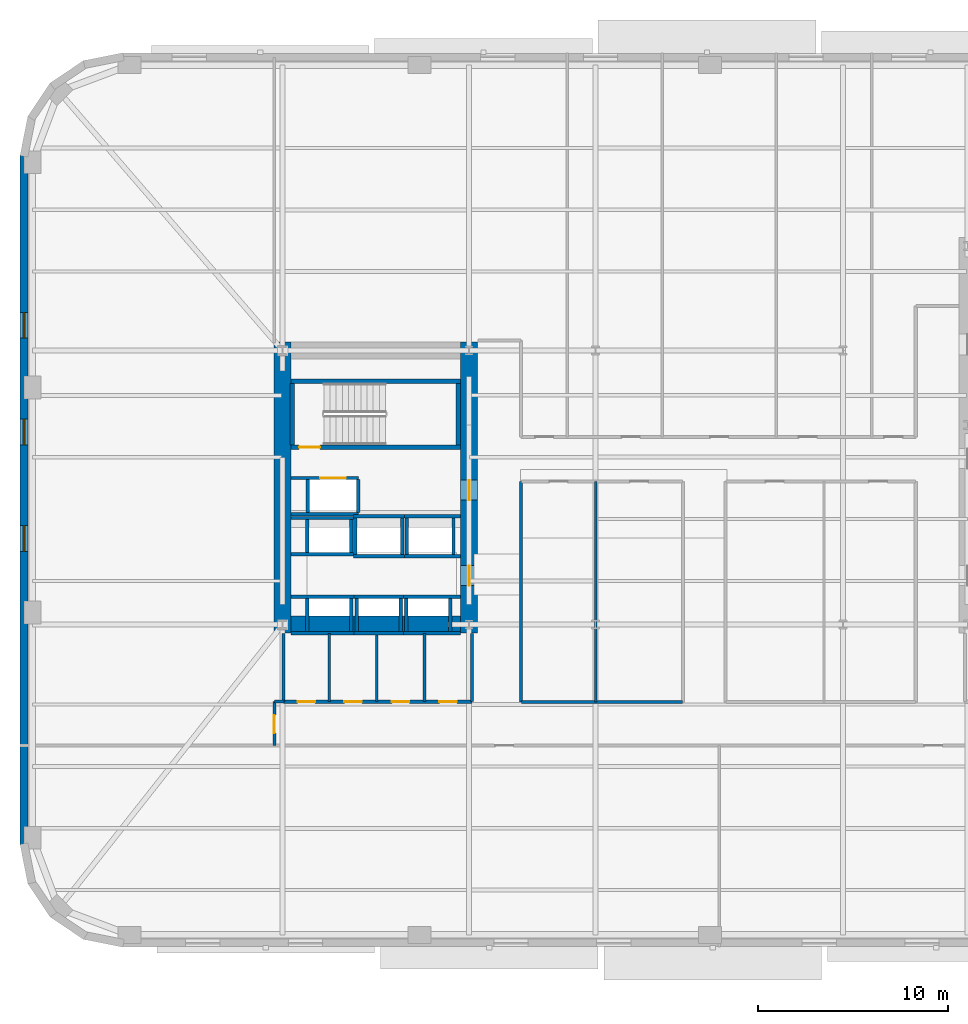
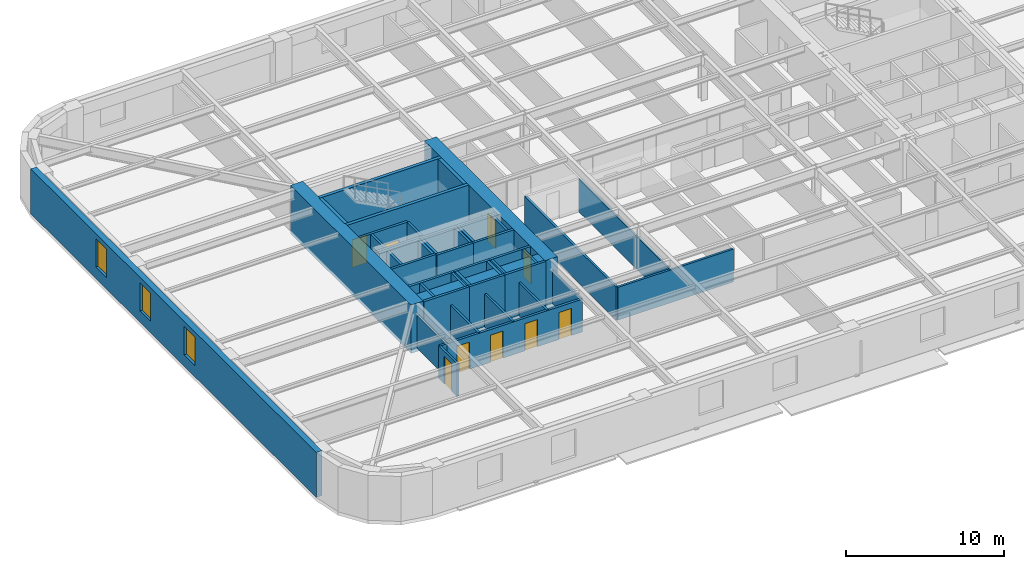
# One storey, part 4 of 14: 47 walls, 9 doors, 3 windows, 12 openings.
"""IFC4 building model written with IfcOpenShell, lengths in metres."""

from ifc_helpers import new_model, si_unit, direction, frame, frame_2d, origin, place, context, subcontext, project, spatial, rectangle, extrude, material, layer, layer_set, type_object, element, fill, save


model = new_model("IFC4")

# Units and contexts
model_context = context("Model", 3, precision=1e-05, world=origin(), true_north=direction((0.0, 1.0)))
body_context = subcontext(model_context, "Body", "Model", "MODEL_VIEW")
ifc_project = project(units=[si_unit("LENGTHUNIT", "METRE"), si_unit("AREAUNIT", "SQUARE_METRE"), si_unit("VOLUMEUNIT", "CUBIC_METRE"), si_unit("PLANEANGLEUNIT", "RADIAN"), si_unit("MASSUNIT", "GRAM", prefix="KILO")], contexts=[model_context])

# Site, building, storey
site_placement = place(None, origin())
site = spatial("IfcSite", under=ifc_project, at=site_placement, CompositionType="ELEMENT")
building_placement = place(site_placement, origin())
building = spatial("IfcBuilding", under=site, at=building_placement, Name="Kolvaren Arena Tower", CompositionType="ELEMENT")
storey_placement = place(building_placement, frame((0.0, 0.0, 87.0)))
storey = spatial("IfcBuildingStorey", under=building, at=storey_placement, Name="L19", CompositionType="ELEMENT", Elevation=87.0)

# Walls
ifc_material_1 = material(Name="Gypsum board acoustic assembly", Category="gypsum")
ifc_layer_1 = layer(ifc_material_1, 0.159912109375)
ifc_layer_set_1 = layer_set([ifc_layer_1], Name="Gypsum board acoustic assembly")
wall_type_1 = type_object("IfcWallType", Name="CORR-160", PredefinedType="PARTITIONING", material=ifc_layer_set_1)
wall_1_placement = place(storey_placement, frame((27.10009765625, 15.3798828125, 0.0), z_axis=(0.0, 0.0, 1.0), x_axis=(1.0, 0.0, 0.0)))
element("IfcWall", 1, at=wall_1_placement, inside=storey, type_object=wall_type_1, Name="Interior Partition Wall (L19)", PredefinedType="PARTITIONING", context=body_context, shape_type="SweptSolid", body=[
    extrude(rectangle(XDim=8.4599609375, YDim=0.159912109375, at=frame_2d((4.22998046875, 0.0))), origin(), (0.0, 0.0, 1.0), 2.5400390625),
])
wall_2_placement = place(storey_placement, frame((27.080078125, 15.3798828125, 0.0), z_axis=(0.0, 0.0, 1.0), x_axis=(0.0, 1.0, 0.0)))
element("IfcWall", 2, at=wall_2_placement, inside=storey, type_object=wall_type_1, Name="Interior Partition Wall (L19)", PredefinedType="PARTITIONING", context=body_context, shape_type="SweptSolid", body=[
    extrude(rectangle(XDim=11.60009765625, YDim=0.159912109375, at=frame_2d((5.800048828125, 0.0))), origin(), (0.0, 0.0, 1.0), 2.5400390625),
])

# Wall, opening, door
wall_3_placement = place(storey_placement, frame((14.1201171875, 13.10009765625, 0.0), z_axis=(0.0, 0.0, 1.0), x_axis=(0.0, 1.0, 0.0)))
wall_3 = element("IfcWall", 3, at=wall_3_placement, inside=storey, type_object=wall_type_1, Name="Interior Partition Wall (L19)", PredefinedType="PARTITIONING", context=body_context, shape_type="SweptSolid", body=[
    extrude(rectangle(XDim=2.2998046875, YDim=0.159912109375, at=frame_2d((1.14990234375, 0.0))), origin(), (0.0, 0.0, 1.0), 2.5400390625),
])
opening_1_placement = place(wall_3_placement, frame((0.64990234375, 0.0, 0.0)))
opening_1 = element("IfcOpeningElement", 4, at=opening_1_placement, cuts=wall_3, Name="Opening D05", PredefinedType="OPENING", context=body_context, shape_type="SweptSolid", body=[
    extrude(rectangle(XDim=0.949951171875, YDim=2.14990234375, at=frame_2d((0.47509765625, 1.074951171875))), frame((0.0, 0.08984375, 0.0), z_axis=(0.0, -1.0, 0.0), x_axis=(1.0, 0.0, 0.0)), (0.0, 0.0, 1.0), 0.179931640625),
])
ifc_material_2 = material(Name="Solid-core oak acoustic office door", Category="wood")
door_type_1 = type_object("IfcDoorType", Name="DOOR-OF-095", OperationType="NOTDEFINED", PredefinedType="DOOR", material=ifc_material_2)
door_1_placement = place(opening_1_placement, origin())
door_1 = element("IfcDoor", 5, at=door_1_placement, inside=storey, type_object=door_type_1, Name="West Wing Office Door (L19)", OperationType="SINGLE_SWING_LEFT", OverallHeight=2.14990234375, OverallWidth=0.949951171875, PredefinedType="DOOR", context=body_context, shape_type="SweptSolid", body=[
    extrude(rectangle(XDim=0.949951171875, YDim=2.14990234375, at=frame_2d((0.47509765625, 1.074951171875))), frame((0.0, 0.02490234375, 0.0), z_axis=(0.0, -1.0, 0.0), x_axis=(1.0, 0.0, 0.0)), (0.0, 0.0, 1.0), 0.050048828125),
])
fill(opening_1, door_1)

# Walls
wall_4_placement = place(storey_placement, frame((14.1201171875, 15.39990234375, 0.0), z_axis=(0.0, 0.0, 1.0), x_axis=(1.0, 0.0, 0.0)))
element("IfcWall", 6, at=wall_4_placement, inside=storey, type_object=wall_type_1, Name="Interior Partition Wall (L19)", PredefinedType="PARTITIONING", context=body_context, shape_type="SweptSolid", body=[
    extrude(rectangle(XDim=0.5, YDim=0.159912109375, at=frame_2d((0.25, 0.0))), origin(), (0.0, 0.0, 1.0), 2.5400390625),
])
ifc_material_3 = material(Name="Concrete 80 MPa", Category="concrete")
ifc_layer_2 = layer(ifc_material_3, 0.89990234375)
ifc_layer_set_2 = layer_set([ifc_layer_2], Name="Concrete 80 MPa")
wall_type_2 = type_object("IfcWallType", Name="CWALL-900", PredefinedType="SHEAR", material=ifc_layer_set_2)
wall_5_placement = place(storey_placement, frame((14.550048828125, 19.0, -0.27001953125), z_axis=(0.0, 0.0, 1.0), x_axis=(0.0, 1.0, 0.0)))
element("IfcWall", 7, at=wall_5_placement, inside=storey, type_object=wall_type_2, Name="Core Shear Wall WC-WEST (L19)", PredefinedType="SHEAR", context=body_context, shape_type="SweptSolid", body=[
    extrude(rectangle(XDim=15.300048828125, YDim=0.89990234375, at=frame_2d((7.64990234375, 0.0))), origin(), (0.0, 0.0, 1.0), 3.75),
])

# Wall, openings, doors
wall_6_placement = place(storey_placement, frame((24.35009765625, 19.0, -0.27001953125), z_axis=(0.0, 0.0, 1.0), x_axis=(0.0, 1.0, 0.0)))
wall_6 = element("IfcWall", 8, at=wall_6_placement, inside=storey, type_object=wall_type_2, Name="Core Shear Wall WC-EAST (L19)", PredefinedType="SHEAR", context=body_context, shape_type="SweptSolid", body=[
    extrude(rectangle(XDim=15.300048828125, YDim=0.89990234375, at=frame_2d((7.64990234375, 0.0))), origin(), (0.0, 0.0, 1.0), 3.75),
])
opening_2_placement = place(wall_6_placement, frame((2.5, 0.0, 0.27001953125)))
opening_2 = element("IfcOpeningElement", 9, at=opening_2_placement, cuts=wall_6, Name="Opening D04", PredefinedType="OPENING", context=body_context, shape_type="SweptSolid", body=[
    extrude(rectangle(XDim=1.050048828125, YDim=2.14990234375, at=frame_2d((0.52490234375, 1.074951171875))), frame((0.0, 0.4599609375, 0.0), z_axis=(0.0, -1.0, 0.0), x_axis=(1.0, 0.0, 0.0)), (0.0, 0.0, 1.0), 0.919921875),
])
opening_3_placement = place(wall_6_placement, frame((7.0, 0.0, 0.27001953125)))
opening_3 = element("IfcOpeningElement", 10, at=opening_3_placement, cuts=wall_6, Name="Opening D04", PredefinedType="OPENING", context=body_context, shape_type="SweptSolid", body=[
    extrude(rectangle(XDim=1.050048828125, YDim=2.14990234375, at=frame_2d((0.52490234375, 1.074951171875))), frame((0.0, 0.4599609375, 0.0), z_axis=(0.0, -1.0, 0.0), x_axis=(1.0, 0.0, 0.0)), (0.0, 0.0, 1.0), 0.919921875),
])
ifc_material_4 = material(Name="Fire-rated steel lobby door", Category="steel")
door_type_2 = type_object("IfcDoorType", Name="DOOR-FF-105", OperationType="NOTDEFINED", PredefinedType="DOOR", material=ifc_material_4)
door_2_placement = place(opening_2_placement, origin())
door_2 = element("IfcDoor", 11, at=door_2_placement, inside=storey, type_object=door_type_2, Name="West Lift Lobby Fire Door (L19)", OperationType="SINGLE_SWING_LEFT", OverallHeight=2.14990234375, OverallWidth=1.050048828125, PredefinedType="DOOR", context=body_context, shape_type="SweptSolid", body=[
    extrude(rectangle(XDim=1.050048828125, YDim=2.14990234375, at=frame_2d((0.52490234375, 1.074951171875))), frame((0.0, 0.02490234375, 0.0), z_axis=(0.0, -1.0, 0.0), x_axis=(1.0, 0.0, 0.0)), (0.0, 0.0, 1.0), 0.050048828125),
])
fill(opening_2, door_2)
door_3_placement = place(opening_3_placement, origin())
door_3 = element("IfcDoor", 12, at=door_3_placement, inside=storey, type_object=door_type_2, Name="West Firefighter Vestibule Door (L19)", OperationType="SINGLE_SWING_RIGHT", OverallHeight=2.14990234375, OverallWidth=1.050048828125, PredefinedType="DOOR", context=body_context, shape_type="SweptSolid", body=[
    extrude(rectangle(XDim=1.050048828125, YDim=2.14990234375, at=frame_2d((0.52490234375, 1.074951171875))), frame((0.0, 0.02490234375, 0.0), z_axis=(0.0, -1.0, 0.0), x_axis=(1.0, 0.0, 0.0)), (0.0, 0.0, 1.0), 0.050048828125),
])
fill(opening_3, door_3)

# Wall
wall_7_placement = place(storey_placement, frame((15.0, 19.449951171875, -0.27001953125), z_axis=(0.0, 0.0, 1.0), x_axis=(1.0, 0.0, 0.0)))
element("IfcWall", 13, at=wall_7_placement, inside=storey, type_object=wall_type_2, Name="Core Shear Wall WC-SOUTH (L19)", PredefinedType="SHEAR", context=body_context, shape_type="SweptSolid", body=[
    extrude(rectangle(XDim=8.89990234375, YDim=0.89990234375, at=frame_2d((4.449951171875, 0.0))), origin(), (0.0, 0.0, 1.0), 3.75),
])

# Wall, openings, windows
ifc_material_5 = material(Name="Precast concrete C50/60", Category="concrete")
ifc_layer_3 = layer(ifc_material_5, 0.419921875)
ifc_layer_set_3 = layer_set([ifc_layer_3], Name="Precast concrete C50/60")
wall_type_3 = type_object("IfcWallType", Name="EXT-PIER1", PredefinedType="SOLIDWALL", material=ifc_layer_set_3)
wall_8_placement = place(storey_placement, frame((0.9599609375, 7.89990234375, 0.0), z_axis=(0.0, 0.0, 1.0), x_axis=(0.0, 1.0, 0.0)))
wall_8 = element("IfcWall", 14, at=wall_8_placement, inside=storey, type_object=wall_type_3, Name="Exterior Precast Masonry-Frame Wall (L19)", PredefinedType="SOLIDWALL", context=body_context, shape_type="SweptSolid", body=[
    extrude(rectangle(XDim=36.2001953125, YDim=0.419921875, at=frame_2d((18.10009765625, 0.0))), origin(), (0.0, 0.0, 1.0), 3.47998046875),
])
opening_4_placement = place(wall_8_placement, frame((15.39990234375, 0.0, 0.8798828125)))
opening_4 = element("IfcOpeningElement", 15, at=opening_4_placement, cuts=wall_8, Name="Opening W04", PredefinedType="OPENING", context=body_context, shape_type="SweptSolid", body=[
    extrude(rectangle(XDim=1.35009765625, YDim=2.199951171875, at=frame_2d((0.675048828125, 1.10009765625))), frame((0.0, 0.219970703125, 0.0), z_axis=(0.0, -1.0, 0.0), x_axis=(1.0, 0.0, 0.0)), (0.0, 0.0, 1.0), 0.43994140625),
])
opening_5_placement = place(wall_8_placement, frame((21.0, 0.0, 0.8798828125)))
opening_5 = element("IfcOpeningElement", 16, at=opening_5_placement, cuts=wall_8, Name="Opening W04", PredefinedType="OPENING", context=body_context, shape_type="SweptSolid", body=[
    extrude(rectangle(XDim=1.35009765625, YDim=2.199951171875, at=frame_2d((0.675048828125, 1.10009765625))), frame((0.0, 0.219970703125, 0.0), z_axis=(0.0, -1.0, 0.0), x_axis=(1.0, 0.0, 0.0)), (0.0, 0.0, 1.0), 0.43994140625),
])
opening_6_placement = place(wall_8_placement, frame((26.60009765625, 0.0, 0.8798828125)))
opening_6 = element("IfcOpeningElement", 17, at=opening_6_placement, cuts=wall_8, Name="Opening W04", PredefinedType="OPENING", context=body_context, shape_type="SweptSolid", body=[
    extrude(rectangle(XDim=1.35009765625, YDim=2.199951171875, at=frame_2d((0.675048828125, 1.10009765625))), frame((0.0, 0.219970703125, 0.0), z_axis=(0.0, -1.0, 0.0), x_axis=(1.0, 0.0, 0.0)), (0.0, 0.0, 1.0), 0.43994140625),
])
ifc_material_6 = material(Name="Triple-glazed curved-facet corner window", Category="glass")
window_type = type_object("IfcWindowType", Name="WIN-CRN-A", PartitioningType="SINGLE_PANEL", PredefinedType="WINDOW", material=ifc_material_6)
window_1_placement = place(opening_4_placement, origin())
window_1 = element("IfcWindow", 18, at=window_1_placement, inside=storey, type_object=window_type, Name="End-Wall Punched Window (L19)", OverallHeight=2.199951171875, OverallWidth=1.35009765625, PartitioningType="SINGLE_PANEL", PredefinedType="WINDOW", context=body_context, shape_type="SweptSolid", body=[
    extrude(rectangle(XDim=1.35009765625, YDim=2.199951171875, at=frame_2d((0.675048828125, 1.10009765625))), frame((0.0, 0.030029296875, 0.0), z_axis=(0.0, -1.0, 0.0), x_axis=(1.0, 0.0, 0.0)), (0.0, 0.0, 1.0), 0.06005859375),
])
fill(opening_4, window_1)
window_2_placement = place(opening_5_placement, origin())
window_2 = element("IfcWindow", 19, at=window_2_placement, inside=storey, type_object=window_type, Name="End-Wall Punched Window (L19)", OverallHeight=2.199951171875, OverallWidth=1.35009765625, PartitioningType="SINGLE_PANEL", PredefinedType="WINDOW", context=body_context, shape_type="SweptSolid", body=[
    extrude(rectangle(XDim=1.35009765625, YDim=2.199951171875, at=frame_2d((0.675048828125, 1.10009765625))), frame((0.0, 0.030029296875, 0.0), z_axis=(0.0, -1.0, 0.0), x_axis=(1.0, 0.0, 0.0)), (0.0, 0.0, 1.0), 0.06005859375),
])
fill(opening_5, window_2)
window_3_placement = place(opening_6_placement, origin())
window_3 = element("IfcWindow", 20, at=window_3_placement, inside=storey, type_object=window_type, Name="End-Wall Punched Window (L19)", OverallHeight=2.199951171875, OverallWidth=1.35009765625, PartitioningType="SINGLE_PANEL", PredefinedType="WINDOW", context=body_context, shape_type="SweptSolid", body=[
    extrude(rectangle(XDim=1.35009765625, YDim=2.199951171875, at=frame_2d((0.675048828125, 1.10009765625))), frame((0.0, 0.030029296875, 0.0), z_axis=(0.0, -1.0, 0.0), x_axis=(1.0, 0.0, 0.0)), (0.0, 0.0, 1.0), 0.06005859375),
])
fill(opening_6, window_3)

# Wall
ifc_material_7 = material(Name="Gypsum board partition assembly", Category="gypsum")
ifc_layer_4 = layer(ifc_material_7, 0.114990234375)
ifc_layer_set_4 = layer_set([ifc_layer_4], Name="Gypsum board partition assembly")
wall_type_4 = type_object("IfcWallType", Name="PART-115", PredefinedType="PARTITIONING", material=ifc_layer_set_4)
wall_9_placement = place(storey_placement, frame((31.0, 15.3798828125, 0.0), z_axis=(0.0, 0.0, 1.0), x_axis=(0.0, 1.0, 0.0)))
element("IfcWall", 21, at=wall_9_placement, inside=storey, type_object=wall_type_4, Name="Interior Partition Wall (L19)", PredefinedType="PARTITIONING", context=body_context, shape_type="SweptSolid", body=[
    extrude(rectangle(XDim=11.60009765625, YDim=0.114990234375, at=frame_2d((5.800048828125, 0.0))), origin(), (0.0, 0.0, 1.0), 2.5400390625),
])

# Wall, opening, door
ifc_material_8 = material(Name="Concrete 45 MPa", Category="concrete")
ifc_layer_5 = layer(ifc_material_8, 0.25)
ifc_layer_set_5 = layer_set([ifc_layer_5], Name="Concrete 45 MPa")
wall_type_5 = type_object("IfcWallType", Name="SHAFT-250", PredefinedType="SOLIDWALL", material=ifc_layer_set_5)
wall_10_placement = place(storey_placement, frame((23.89990234375, 28.780029296875, 0.0), z_axis=(0.0, 0.0, 1.0), x_axis=(-1.0, 0.0, 0.0)))
wall_10 = element("IfcWall", 22, at=wall_10_placement, inside=storey, type_object=wall_type_5, Name="Core Shaft Wall (L19)", PredefinedType="SOLIDWALL", context=body_context, shape_type="SweptSolid", body=[
    extrude(rectangle(XDim=8.89990234375, YDim=0.239990234375, at=frame_2d((4.449951171875, 0.0))), origin(), (0.0, 0.0, 1.0), 3.47998046875),
])
opening_7_placement = place(wall_10_placement, frame((7.3798828125, 0.0, 0.0)))
opening_7 = element("IfcOpeningElement", 23, at=opening_7_placement, cuts=wall_10, Name="Opening D03", PredefinedType="OPENING", context=body_context, shape_type="SweptSolid", body=[
    extrude(rectangle(XDim=1.10009765625, YDim=2.14990234375, at=frame_2d((0.550048828125, 1.074951171875))), frame((0.0, 0.1298828125, 0.0), z_axis=(0.0, -1.0, 0.0), x_axis=(1.0, 0.0, 0.0)), (0.0, 0.0, 1.0), 0.260009765625),
])
ifc_material_9 = material(Name="Fire-rated steel exit stair door", Category="steel")
door_type_3 = type_object("IfcDoorType", Name="DOOR-ST-110", OperationType="NOTDEFINED", PredefinedType="DOOR", material=ifc_material_9)
door_4_placement = place(opening_7_placement, origin())
door_4 = element("IfcDoor", 24, at=door_4_placement, inside=storey, type_object=door_type_3, Name="Stair ST-W1 Fire Door (L19)", OperationType="SINGLE_SWING_RIGHT", OverallHeight=2.14990234375, OverallWidth=1.10009765625, PredefinedType="DOOR", context=body_context, shape_type="SweptSolid", body=[
    extrude(rectangle(XDim=1.10009765625, YDim=2.14990234375, at=frame_2d((0.550048828125, 1.074951171875))), frame((0.0, 0.02490234375, 0.0), z_axis=(0.0, -1.0, 0.0), x_axis=(1.0, 0.0, 0.0)), (0.0, 0.0, 1.0), 0.050048828125),
])
fill(opening_7, door_4)

# Walls
wall_11_placement = place(storey_placement, frame((15.0, 32.25, 0.0), z_axis=(0.0, 0.0, 1.0), x_axis=(1.0, 0.0, 0.0)))
element("IfcWall", 25, at=wall_11_placement, inside=storey, type_object=wall_type_5, Name="Core Shaft Wall (L19)", PredefinedType="SOLIDWALL", context=body_context, shape_type="SweptSolid", body=[
    extrude(rectangle(XDim=8.89990234375, YDim=0.239990234375, at=frame_2d((4.449951171875, 0.0))), origin(), (0.0, 0.0, 1.0), 3.47998046875),
])
for number, where, z_axis, x_axis, name in (
    (26, (15.06005859375, 28.89990234375, 0.0), (0.0, 0.0, 1.0), (0.0, 1.0, 0.0), "Core Shaft Wall (L19)"),
    (27, (23.780029296875, 28.89990234375, 0.0), (0.0, 0.0, 1.0), (0.0, 1.0, 0.0), "Core Shaft Wall (L19)"),
):
    element("IfcWall", number, at=place(storey_placement, frame(where, z_axis=z_axis, x_axis=x_axis)), inside=storey, type_object=wall_type_5, Name=name, PredefinedType="SOLIDWALL", context=body_context, shape_type="SweptSolid", body=[
        extrude(rectangle(XDim=3.22998046875, YDim=0.239990234375, at=frame_2d((1.614990234375, 0.0))), origin(), (0.0, 0.0, 1.0), 3.47998046875),
    ])
for number, where, z_axis, x_axis, name in (
    (28, (15.0, 20.905029296875, 0.0), (0.0, 0.0, 1.0), (1.0, 0.0, 0.0), "Core Shaft Wall (L19)"),
    (29, (15.0, 18.9951171875, 0.0), (0.0, 0.0, 1.0), (1.0, 0.0, 0.0), "Core Shaft Wall (L19)"),
):
    element("IfcWall", number, at=place(storey_placement, frame(where, z_axis=z_axis, x_axis=x_axis)), inside=storey, type_object=wall_type_5, Name=name, PredefinedType="SOLIDWALL", context=body_context, shape_type="SweptSolid", body=[
        extrude(rectangle(XDim=3.300048828125, YDim=0.179931640625, at=frame_2d((1.64990234375, 0.0))), origin(), (0.0, 0.0, 1.0), 3.47998046875),
    ])
for number, where, z_axis, x_axis, name in (
    (30, (15.844970703125, 19.0849609375, 0.0), (0.0, 0.0, 1.0), (0.0, 1.0, 0.0), "Core Shaft Wall (L19)"),
    (31, (18.155029296875, 19.0849609375, 0.0), (0.0, 0.0, 1.0), (0.0, 1.0, 0.0), "Core Shaft Wall (L19)"),
):
    element("IfcWall", number, at=place(storey_placement, frame(where, z_axis=z_axis, x_axis=x_axis)), inside=storey, type_object=wall_type_5, Name=name, PredefinedType="SOLIDWALL", context=body_context, shape_type="SweptSolid", body=[
        extrude(rectangle(XDim=1.72998046875, YDim=0.179931640625, at=frame_2d((0.864990234375, 0.0))), origin(), (0.0, 0.0, 1.0), 3.47998046875),
    ])
for number, where, z_axis, x_axis, name in (
    (32, (18.300048828125, 20.905029296875, 0.0), (0.0, 0.0, 1.0), (1.0, 0.0, 0.0), "Core Shaft Wall (L19)"),
    (33, (18.300048828125, 18.9951171875, 0.0), (0.0, 0.0, 1.0), (1.0, 0.0, 0.0), "Core Shaft Wall (L19)"),
):
    element("IfcWall", number, at=place(storey_placement, frame(where, z_axis=z_axis, x_axis=x_axis)), inside=storey, type_object=wall_type_5, Name=name, PredefinedType="SOLIDWALL", context=body_context, shape_type="SweptSolid", body=[
        extrude(rectangle(XDim=2.599853515625, YDim=0.179931640625, at=frame_2d((1.2998046875, 0.0))), origin(), (0.0, 0.0, 1.0), 3.47998046875),
    ])
for number, where, z_axis, x_axis, name in (
    (34, (18.445068359375, 19.0849609375, 0.0), (0.0, 0.0, 1.0), (0.0, 1.0, 0.0), "Core Shaft Wall (L19)"),
    (35, (20.7548828125, 19.0849609375, 0.0), (0.0, 0.0, 1.0), (0.0, 1.0, 0.0), "Core Shaft Wall (L19)"),
):
    element("IfcWall", number, at=place(storey_placement, frame(where, z_axis=z_axis, x_axis=x_axis)), inside=storey, type_object=wall_type_5, Name=name, PredefinedType="SOLIDWALL", context=body_context, shape_type="SweptSolid", body=[
        extrude(rectangle(XDim=1.72998046875, YDim=0.179931640625, at=frame_2d((0.864990234375, 0.0))), origin(), (0.0, 0.0, 1.0), 3.47998046875),
    ])
for number, where, z_axis, x_axis, name in (
    (36, (20.89990234375, 20.905029296875, 0.0), (0.0, 0.0, 1.0), (1.0, 0.0, 0.0), "Core Shaft Wall (L19)"),
    (37, (20.89990234375, 18.9951171875, 0.0), (0.0, 0.0, 1.0), (1.0, 0.0, 0.0), "Core Shaft Wall (L19)"),
):
    element("IfcWall", number, at=place(storey_placement, frame(where, z_axis=z_axis, x_axis=x_axis)), inside=storey, type_object=wall_type_5, Name=name, PredefinedType="SOLIDWALL", context=body_context, shape_type="SweptSolid", body=[
        extrude(rectangle(XDim=3.0, YDim=0.179931640625, at=frame_2d((1.5, 0.0))), origin(), (0.0, 0.0, 1.0), 3.47998046875),
    ])
for number, where, z_axis, x_axis, name in (
    (38, (21.044921875, 19.0849609375, 0.0), (0.0, 0.0, 1.0), (0.0, 1.0, 0.0), "Core Shaft Wall (L19)"),
    (39, (23.35498046875, 19.0849609375, 0.0), (0.0, 0.0, 1.0), (0.0, 1.0, 0.0), "Core Shaft Wall (L19)"),
):
    element("IfcWall", number, at=place(storey_placement, frame(where, z_axis=z_axis, x_axis=x_axis)), inside=storey, type_object=wall_type_5, Name=name, PredefinedType="SOLIDWALL", context=body_context, shape_type="SweptSolid", body=[
        extrude(rectangle(XDim=1.72998046875, YDim=0.179931640625, at=frame_2d((0.864990234375, 0.0))), origin(), (0.0, 0.0, 1.0), 3.47998046875),
    ])
for number, where, z_axis, x_axis, name in (
    (40, (15.0, 25.054931640625, 0.0), (0.0, 0.0, 1.0), (1.0, 0.0, 0.0), "Core Shaft Wall (L19)"),
    (41, (15.0, 23.14501953125, 0.0), (0.0, 0.0, 1.0), (1.0, 0.0, 0.0), "Core Shaft Wall (L19)"),
):
    element("IfcWall", number, at=place(storey_placement, frame(where, z_axis=z_axis, x_axis=x_axis)), inside=storey, type_object=wall_type_5, Name=name, PredefinedType="SOLIDWALL", context=body_context, shape_type="SweptSolid", body=[
        extrude(rectangle(XDim=3.262451171875, YDim=0.179931640625, at=frame_2d((1.63134765625, 0.0))), origin(), (0.0, 0.0, 1.0), 3.47998046875),
    ])
for number, where, z_axis, x_axis, name in (
    (42, (15.844970703125, 23.235107421875, 0.0), (0.0, 0.0, 1.0), (0.0, 1.0, 0.0), "Core Shaft Wall (L19)"),
    (43, (18.155029296875, 23.235107421875, 0.0), (0.0, 0.0, 1.0), (0.0, 1.0, 0.0), "Core Shaft Wall (L19)"),
):
    element("IfcWall", number, at=place(storey_placement, frame(where, z_axis=z_axis, x_axis=x_axis)), inside=storey, type_object=wall_type_5, Name=name, PredefinedType="SOLIDWALL", context=body_context, shape_type="SweptSolid", body=[
        extrude(rectangle(XDim=1.72998046875, YDim=0.179931640625, at=frame_2d((0.864990234375, 0.0))), origin(), (0.0, 0.0, 1.0), 3.47998046875),
    ])
for number, where, z_axis, x_axis, name in (
    (44, (18.262451171875, 25.155029296875, 0.0), (0.0, 0.0, 1.0), (1.0, 0.0, 0.0), "Core Shaft Wall (L19)"),
    (45, (18.262451171875, 23.044921875, 0.0), (0.0, 0.0, 1.0), (1.0, 0.0, 0.0), "Core Shaft Wall (L19)"),
):
    element("IfcWall", number, at=place(storey_placement, frame(where, z_axis=z_axis, x_axis=x_axis)), inside=storey, type_object=wall_type_5, Name=name, PredefinedType="SOLIDWALL", context=body_context, shape_type="SweptSolid", body=[
        extrude(rectangle(XDim=2.6875, YDim=0.179931640625, at=frame_2d((1.34375, 0.0))), origin(), (0.0, 0.0, 1.0), 3.47998046875),
    ])
for number, where, z_axis, x_axis, name in (
    (46, (18.3701171875, 23.135009765625, 0.0), (0.0, 0.0, 1.0), (0.0, 1.0, 0.0), "Core Shaft Wall (L19)"),
    (47, (20.830078125, 23.135009765625, 0.0), (0.0, 0.0, 1.0), (0.0, 1.0, 0.0), "Core Shaft Wall (L19)"),
):
    element("IfcWall", number, at=place(storey_placement, frame(where, z_axis=z_axis, x_axis=x_axis)), inside=storey, type_object=wall_type_5, Name=name, PredefinedType="SOLIDWALL", context=body_context, shape_type="SweptSolid", body=[
        extrude(rectangle(XDim=1.929931640625, YDim=0.179931640625, at=frame_2d((0.96484375, 0.0))), origin(), (0.0, 0.0, 1.0), 3.47998046875),
    ])
for number, where, z_axis, x_axis, name in (
    (48, (20.949951171875, 25.155029296875, 0.0), (0.0, 0.0, 1.0), (1.0, 0.0, 0.0), "Core Shaft Wall (L19)"),
    (49, (20.949951171875, 23.044921875, 0.0), (0.0, 0.0, 1.0), (1.0, 0.0, 0.0), "Core Shaft Wall (L19)"),
):
    element("IfcWall", number, at=place(storey_placement, frame(where, z_axis=z_axis, x_axis=x_axis)), inside=storey, type_object=wall_type_5, Name=name, PredefinedType="SOLIDWALL", context=body_context, shape_type="SweptSolid", body=[
        extrude(rectangle(XDim=2.949951171875, YDim=0.179931640625, at=frame_2d((1.47509765625, 0.0))), origin(), (0.0, 0.0, 1.0), 3.47998046875),
    ])
for number, where, z_axis, x_axis, name in (
    (50, (21.070068359375, 23.135009765625, 0.0), (0.0, 0.0, 1.0), (0.0, 1.0, 0.0), "Core Shaft Wall (L19)"),
    (51, (23.530029296875, 23.135009765625, 0.0), (0.0, 0.0, 1.0), (0.0, 1.0, 0.0), "Core Shaft Wall (L19)"),
):
    element("IfcWall", number, at=place(storey_placement, frame(where, z_axis=z_axis, x_axis=x_axis)), inside=storey, type_object=wall_type_5, Name=name, PredefinedType="SOLIDWALL", context=body_context, shape_type="SweptSolid", body=[
        extrude(rectangle(XDim=1.929931640625, YDim=0.179931640625, at=frame_2d((0.96484375, 0.0))), origin(), (0.0, 0.0, 1.0), 3.47998046875),
    ])

# Wall, opening, door
wall_12_placement = place(storey_placement, frame((15.0, 27.155029296875, 0.0), z_axis=(0.0, 0.0, 1.0), x_axis=(1.0, 0.0, 0.0)))
wall_12 = element("IfcWall", 52, at=wall_12_placement, inside=storey, type_object=wall_type_5, Name="Core Shaft Wall (L19)", PredefinedType="SOLIDWALL", context=body_context, shape_type="SweptSolid", body=[
    extrude(rectangle(XDim=3.530029296875, YDim=0.179931640625, at=frame_2d((1.76513671875, 0.0))), origin(), (0.0, 0.0, 1.0), 3.47998046875),
])
opening_8_placement = place(wall_12_placement, frame((1.52490234375, 0.0, 0.0)))
opening_8 = element("IfcOpeningElement", 53, at=opening_8_placement, cuts=wall_12, Name="Opening LD2", PredefinedType="OPENING", context=body_context, shape_type="SweptSolid", body=[
    extrude(rectangle(XDim=1.35009765625, YDim=2.300048828125, at=frame_2d((0.675048828125, 1.14990234375))), frame((0.0, 0.099853515625, 0.0), z_axis=(0.0, -1.0, 0.0), x_axis=(1.0, 0.0, 0.0)), (0.0, 0.0, 1.0), 0.199951171875),
])
ifc_material_10 = material(Name="Stainless steel firefighter lift landing door", Category="steel")
door_type_4 = type_object("IfcDoorType", Name="DOOR-LD-135", OperationType="DOUBLE_DOOR_SLIDING", PredefinedType="DOOR", material=ifc_material_10)
door_5_placement = place(opening_8_placement, origin())
door_5 = element("IfcDoor", 54, at=door_5_placement, inside=storey, type_object=door_type_4, Name="Firefighter Lift FF-W1 Landing Door (L19)", OperationType="DOUBLE_DOOR_SLIDING", OverallHeight=2.300048828125, OverallWidth=1.35009765625, PredefinedType="DOOR", context=body_context, shape_type="SweptSolid", body=[
    extrude(rectangle(XDim=1.35009765625, YDim=2.300048828125, at=frame_2d((0.675048828125, 1.14990234375))), frame((0.0, 0.02490234375, 0.0), z_axis=(0.0, -1.0, 0.0), x_axis=(1.0, 0.0, 0.0)), (0.0, 0.0, 1.0), 0.050048828125),
])
fill(opening_8, door_5)

# Walls
wall_13_placement = place(storey_placement, frame((15.0, 25.2451171875, 0.0), z_axis=(0.0, 0.0, 1.0), x_axis=(1.0, 0.0, 0.0)))
element("IfcWall", 55, at=wall_13_placement, inside=storey, type_object=wall_type_5, Name="Core Shaft Wall (L19)", PredefinedType="SOLIDWALL", context=body_context, shape_type="SweptSolid", body=[
    extrude(rectangle(XDim=3.530029296875, YDim=0.179931640625, at=frame_2d((1.76513671875, 0.0))), origin(), (0.0, 0.0, 1.0), 3.47998046875),
])
for number, where, z_axis, x_axis, name in (
    (56, (15.8701171875, 25.3349609375, 0.0), (0.0, 0.0, 1.0), (0.0, 1.0, 0.0), "Core Shaft Wall (L19)"),
    (57, (18.530029296875, 25.3349609375, 0.0), (0.0, 0.0, 1.0), (0.0, 1.0, 0.0), "Core Shaft Wall (L19)"),
):
    element("IfcWall", number, at=place(storey_placement, frame(where, z_axis=z_axis, x_axis=x_axis)), inside=storey, type_object=wall_type_5, Name=name, PredefinedType="SOLIDWALL", context=body_context, shape_type="SweptSolid", body=[
        extrude(rectangle(XDim=1.72998046875, YDim=0.179931640625, at=frame_2d((0.864990234375, 0.0))), origin(), (0.0, 0.0, 1.0), 3.47998046875),
    ])
ifc_material_11 = material(Name="Moisture-resistant gypsum assembly", Category="gypsum")
ifc_layer_6 = layer(ifc_material_11, 0.14990234375)
ifc_layer_set_6 = layer_set([ifc_layer_6], Name="Moisture-resistant gypsum assembly")
wall_type_6 = type_object("IfcWallType", Name="WETW-150", PredefinedType="PARTITIONING", material=ifc_layer_set_6)
for number, where, z_axis, x_axis, name in (
    (58, (17.0, 15.39990234375, 0.0), (0.0, 0.0, 1.0), (0.0, 1.0, 0.0), "Interior Partition Wall (L19)"),
    (59, (19.5, 15.39990234375, 0.0), (0.0, 0.0, 1.0), (0.0, 1.0, 0.0), "Interior Partition Wall (L19)"),
    (60, (22.0, 15.39990234375, 0.0), (0.0, 0.0, 1.0), (0.0, 1.0, 0.0), "Interior Partition Wall (L19)"),
):
    element("IfcWall", number, at=place(storey_placement, frame(where, z_axis=z_axis, x_axis=x_axis)), inside=storey, type_object=wall_type_6, Name=name, PredefinedType="PARTITIONING", context=body_context, shape_type="SweptSolid", body=[
        extrude(rectangle(XDim=3.580078125, YDim=0.14990234375, at=frame_2d((1.7900390625, 0.0))), origin(), (0.0, 0.0, 1.0), 2.5400390625),
    ])

# Wall, openings, doors
wall_14_placement = place(storey_placement, frame((14.60009765625, 15.39990234375, 0.0), z_axis=(0.0, 0.0, 1.0), x_axis=(1.0, 0.0, 0.0)))
wall_14 = element("IfcWall", 61, at=wall_14_placement, inside=storey, type_object=wall_type_6, Name="Interior Partition Wall (L19)", PredefinedType="PARTITIONING", context=body_context, shape_type="SweptSolid", body=[
    extrude(rectangle(XDim=9.89990234375, YDim=0.179931640625, at=frame_2d((4.949951171875, 0.0))), origin(), (0.0, 0.0, 1.0), 2.5400390625),
])
opening_9_placement = place(wall_14_placement, frame((0.739990234375, 0.0, 0.0)))
opening_9 = element("IfcOpeningElement", 62, at=opening_9_placement, cuts=wall_14, Name="Opening D07", PredefinedType="OPENING", context=body_context, shape_type="SweptSolid", body=[
    extrude(rectangle(XDim=0.919921875, YDim=2.10009765625, at=frame_2d((0.4599609375, 1.050048828125))), frame((0.0, 0.099853515625, 0.0), z_axis=(0.0, -1.0, 0.0), x_axis=(1.0, 0.0, 0.0)), (0.0, 0.0, 1.0), 0.199951171875),
])
opening_10_placement = place(wall_14_placement, frame((3.18994140625, 0.0, 0.0)))
opening_10 = element("IfcOpeningElement", 63, at=opening_10_placement, cuts=wall_14, Name="Opening D07", PredefinedType="OPENING", context=body_context, shape_type="SweptSolid", body=[
    extrude(rectangle(XDim=0.919921875, YDim=2.10009765625, at=frame_2d((0.4599609375, 1.050048828125))), frame((0.0, 0.099853515625, 0.0), z_axis=(0.0, -1.0, 0.0), x_axis=(1.0, 0.0, 0.0)), (0.0, 0.0, 1.0), 0.199951171875),
])
opening_11_placement = place(wall_14_placement, frame((5.68994140625, 0.0, 0.0)))
opening_11 = element("IfcOpeningElement", 64, at=opening_11_placement, cuts=wall_14, Name="Opening D07", PredefinedType="OPENING", context=body_context, shape_type="SweptSolid", body=[
    extrude(rectangle(XDim=0.919921875, YDim=2.10009765625, at=frame_2d((0.4599609375, 1.050048828125))), frame((0.0, 0.099853515625, 0.0), z_axis=(0.0, -1.0, 0.0), x_axis=(1.0, 0.0, 0.0)), (0.0, 0.0, 1.0), 0.199951171875),
])
opening_12_placement = place(wall_14_placement, frame((8.18994140625, 0.0, 0.0)))
opening_12 = element("IfcOpeningElement", 65, at=opening_12_placement, cuts=wall_14, Name="Opening D07", PredefinedType="OPENING", context=body_context, shape_type="SweptSolid", body=[
    extrude(rectangle(XDim=0.919921875, YDim=2.10009765625, at=frame_2d((0.4599609375, 1.050048828125))), frame((0.0, 0.099853515625, 0.0), z_axis=(0.0, -1.0, 0.0), x_axis=(1.0, 0.0, 0.0)), (0.0, 0.0, 1.0), 0.199951171875),
])
ifc_material_12 = material(Name="Laminate universal washroom door", Category="wood")
door_type_5 = type_object("IfcDoorType", Name="DOOR-WC-092", OperationType="NOTDEFINED", PredefinedType="DOOR", material=ifc_material_12)
door_6_placement = place(opening_9_placement, origin())
door_6 = element("IfcDoor", 66, at=door_6_placement, inside=storey, type_object=door_type_5, Name="Cleaner and Janitor Store Door (L19)", OperationType="SINGLE_SWING_LEFT", OverallHeight=2.10009765625, OverallWidth=0.919921875, PredefinedType="DOOR", context=body_context, shape_type="SweptSolid", body=[
    extrude(rectangle(XDim=0.919921875, YDim=2.10009765625, at=frame_2d((0.4599609375, 1.050048828125))), frame((0.0, 0.02490234375, 0.0), z_axis=(0.0, -1.0, 0.0), x_axis=(1.0, 0.0, 0.0)), (0.0, 0.0, 1.0), 0.050048828125),
])
fill(opening_9, door_6)
door_7_placement = place(opening_10_placement, origin())
door_7 = element("IfcDoor", 67, at=door_7_placement, inside=storey, type_object=door_type_5, Name="Universal Barrier-Free Washroom Door (L19)", OperationType="SINGLE_SWING_RIGHT", OverallHeight=2.10009765625, OverallWidth=0.919921875, PredefinedType="DOOR", context=body_context, shape_type="SweptSolid", body=[
    extrude(rectangle(XDim=0.919921875, YDim=2.10009765625, at=frame_2d((0.4599609375, 1.050048828125))), frame((0.0, 0.02490234375, 0.0), z_axis=(0.0, -1.0, 0.0), x_axis=(1.0, 0.0, 0.0)), (0.0, 0.0, 1.0), 0.050048828125),
])
fill(opening_10, door_7)
door_8_placement = place(opening_11_placement, origin())
door_8 = element("IfcDoor", 68, at=door_8_placement, inside=storey, type_object=door_type_5, Name="Women Restroom Door (L19)", OperationType="SINGLE_SWING_LEFT", OverallHeight=2.10009765625, OverallWidth=0.919921875, PredefinedType="DOOR", context=body_context, shape_type="SweptSolid", body=[
    extrude(rectangle(XDim=0.919921875, YDim=2.10009765625, at=frame_2d((0.4599609375, 1.050048828125))), frame((0.0, 0.02490234375, 0.0), z_axis=(0.0, -1.0, 0.0), x_axis=(1.0, 0.0, 0.0)), (0.0, 0.0, 1.0), 0.050048828125),
])
fill(opening_11, door_8)
door_9_placement = place(opening_12_placement, origin())
door_9 = element("IfcDoor", 69, at=door_9_placement, inside=storey, type_object=door_type_5, Name="Men Restroom Door (L19)", OperationType="SINGLE_SWING_RIGHT", OverallHeight=2.10009765625, OverallWidth=0.919921875, PredefinedType="DOOR", context=body_context, shape_type="SweptSolid", body=[
    extrude(rectangle(XDim=0.919921875, YDim=2.10009765625, at=frame_2d((0.4599609375, 1.050048828125))), frame((0.0, 0.02490234375, 0.0), z_axis=(0.0, -1.0, 0.0), x_axis=(1.0, 0.0, 0.0)), (0.0, 0.0, 1.0), 0.050048828125),
])
fill(opening_12, door_9)

# Walls
for number, where, z_axis, x_axis, name in (
    (70, (14.60009765625, 15.39990234375, 0.0), (0.0, 0.0, 1.0), (0.0, 1.0, 0.0), "Interior Partition Wall (L19)"),
    (71, (24.5, 15.39990234375, 0.0), (0.0, 0.0, 1.0), (0.0, 1.0, 0.0), "Interior Partition Wall (L19)"),
):
    element("IfcWall", number, at=place(storey_placement, frame(where, z_axis=z_axis, x_axis=x_axis)), inside=storey, type_object=wall_type_6, Name=name, PredefinedType="PARTITIONING", context=body_context, shape_type="SweptSolid", body=[
        extrude(rectangle(XDim=3.580078125, YDim=0.14990234375, at=frame_2d((1.7900390625, 0.0))), origin(), (0.0, 0.0, 1.0), 2.5400390625),
    ])

save(model, "model.ifc")
